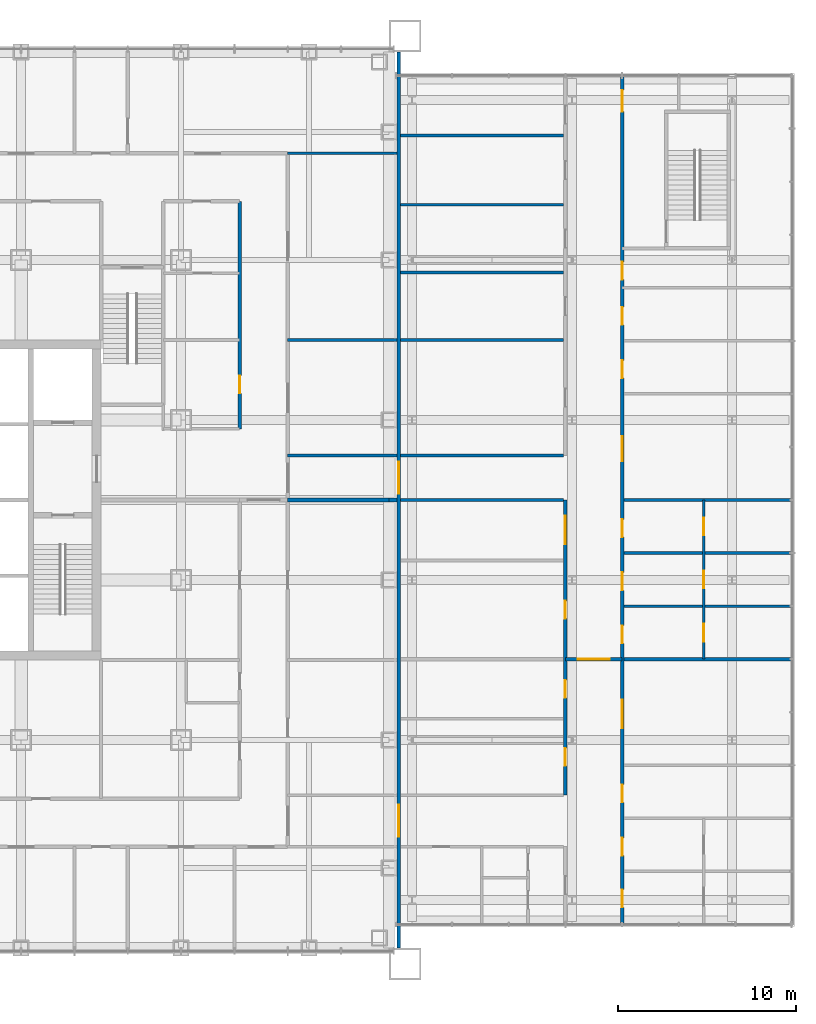
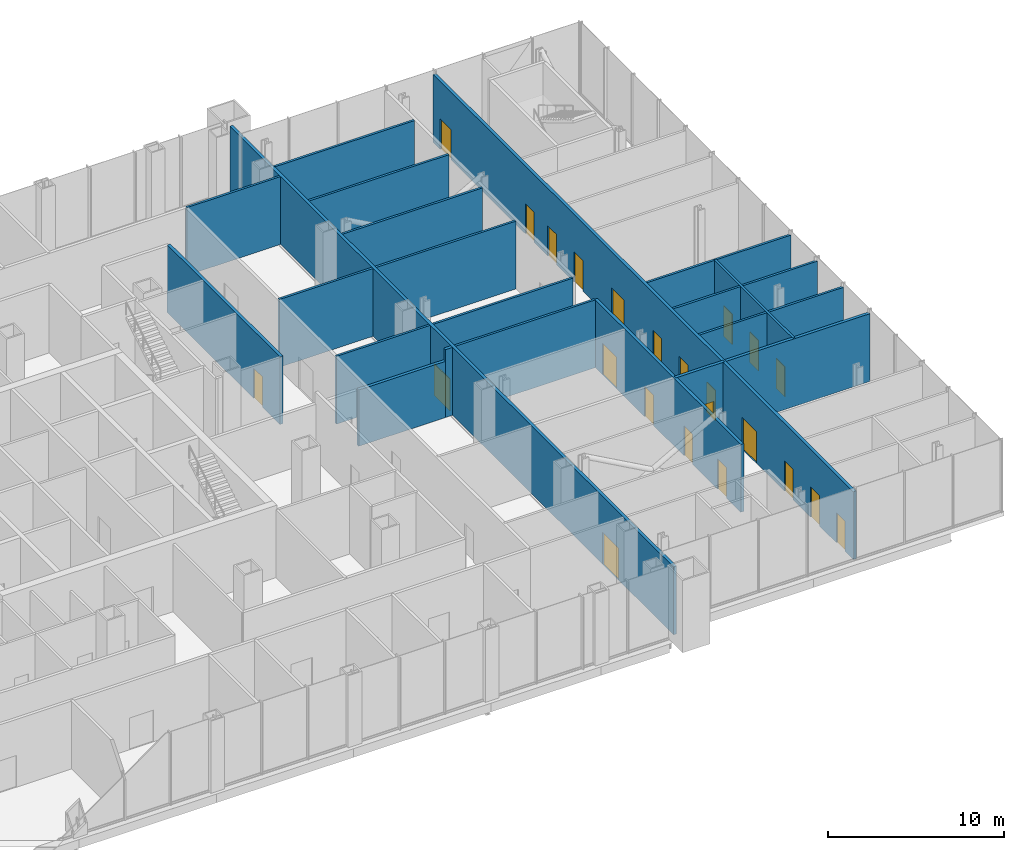
# One storey, part 18 of 25: 23 doors, 21 walls, 23 openings.
"""IFC4 building model written with IfcOpenShell, lengths in metres."""

from ifc_helpers import new_model, si_unit, direction, frame, frame_2d, origin, place, context, subcontext, project, spatial, rectangle, extrude, material, layer, layer_set, type_object, element, fill, save


model = new_model("IFC4")

# Units and contexts
model_context = context("Model", 3, precision=1e-05, world=origin(), true_north=direction((0.0, 1.0)))
body_context = subcontext(model_context, "Body", "Model", "MODEL_VIEW")
ifc_project = project(units=[si_unit("LENGTHUNIT", "METRE"), si_unit("AREAUNIT", "SQUARE_METRE"), si_unit("VOLUMEUNIT", "CUBIC_METRE"), si_unit("PLANEANGLEUNIT", "RADIAN"), si_unit("MASSUNIT", "GRAM", prefix="KILO")], contexts=[model_context])

# Site, building, storey
site_placement = place(None, origin())
site = spatial("IfcSite", under=ifc_project, at=site_placement, CompositionType="ELEMENT")
building_placement = place(site_placement, origin())
building = spatial("IfcBuilding", under=site, at=building_placement, Name="Malebo Sky Hospital", CompositionType="ELEMENT")
storey_placement = place(building_placement, frame((0.0, 0.0, 6.0)))
storey = spatial("IfcBuildingStorey", under=building, at=storey_placement, Name="L01", CompositionType="ELEMENT", Elevation=6.0)

# Wall, opening, door
ifc_material_1 = material(Name="Gypsum board on steel studs", Category="steel")
ifc_layer_1 = layer(ifc_material_1, 0.199951171875)
ifc_layer_set_1 = layer_set([ifc_layer_1], Name="CORRIDOR WALL 200")
wall_type_1 = type_object("IfcWallType", Name="CORRIDOR WALL 200", PredefinedType="PARTITIONING", material=ifc_layer_set_1)
wall_1_placement = place(storey_placement, frame((76.800048828125, 78.800048828125, 0.0), z_axis=(0.0, 0.0, 1.0), x_axis=(0.0, -1.0, 0.0)))
wall_1 = element("IfcWall", 1, at=wall_1_placement, inside=storey, type_object=wall_type_1, Name="Corridor Wall 200 ECI1", PredefinedType="PARTITIONING", context=body_context, shape_type="SweptSolid", body=[
    extrude(rectangle(XDim=12.800048828125, YDim=0.199951171875, at=frame_2d((6.39990234375, 0.0))), origin(), (0.0, 0.0, 1.0), 4.699951171875),
])
opening_1_placement = place(wall_1_placement, frame((9.800048828125, 0.0, 0.0)))
opening_1 = element("IfcOpeningElement", 2, at=opening_1_placement, cuts=wall_1, Name="Opening D03", PredefinedType="OPENING", context=body_context, shape_type="SweptSolid", body=[
    extrude(rectangle(XDim=1.0, YDim=2.10009765625, at=frame_2d((0.5, 1.050048828125))), frame((0.0, 0.10986328125, 0.0), z_axis=(0.0, -1.0, 0.0), x_axis=(1.0, 0.0, 0.0)), (0.0, 0.0, 1.0), 0.219970703125),
])
ifc_material_2 = material(Name="Hardwood-faced door leaf in steel frame", Category="steel")
door_type_1 = type_object("IfcDoorType", Name="ROOM DOOR 1000", OperationType="SINGLE_SWING_LEFT", PredefinedType="DOOR", material=ifc_material_2)
door_1_placement = place(opening_1_placement, origin())
door_1 = element("IfcDoor", 3, at=door_1_placement, inside=storey, type_object=door_type_1, Name="Equipment store door", OperationType="SINGLE_SWING_LEFT", OverallHeight=2.10009765625, OverallWidth=1.0, PredefinedType="DOOR", context=body_context, shape_type="SweptSolid", body=[
    extrude(rectangle(XDim=1.0, YDim=2.10009765625, at=frame_2d((0.5, 1.050048828125))), frame((0.0, 0.02490234375, 0.0), z_axis=(0.0, -1.0, 0.0), x_axis=(1.0, 0.0, 0.0)), (0.0, 0.0, 1.0), 0.050048828125),
])
fill(opening_1, door_1)

# Wall, openings, doors
wall_2_placement = place(storey_placement, frame((98.306884765625, 38.14990234375, 0.0), z_axis=(0.0, 0.0, 1.0), x_axis=(0.0, 1.0, 0.0)))
wall_2 = element("IfcWall", 4, at=wall_2_placement, inside=storey, type_object=wall_type_1, Name="Corridor Wall 200 EWC1", PredefinedType="PARTITIONING", context=body_context, shape_type="SweptSolid", body=[
    extrude(rectangle(XDim=47.7001953125, YDim=0.199951171875, at=frame_2d((23.85009765625, 0.0))), origin(), (0.0, 0.0, 1.0), 4.699951171875),
])
opening_2_placement = place(wall_2_placement, frame((45.699951171875, 0.0, 0.0)))
opening_2 = element("IfcOpeningElement", 5, at=opening_2_placement, cuts=wall_2, Name="Opening D08", PredefinedType="OPENING", context=body_context, shape_type="SweptSolid", body=[
    extrude(rectangle(XDim=1.199951171875, YDim=2.10009765625, at=frame_2d((0.60009765625, 1.050048828125))), frame((0.0, 0.10986328125, 0.0), z_axis=(0.0, -1.0, 0.0), x_axis=(1.0, 0.0, 0.0)), (0.0, 0.0, 1.0), 0.219970703125),
])
opening_3_placement = place(wall_2_placement, frame((36.24365234375, 0.0, 0.0)))
opening_3 = element("IfcOpeningElement", 6, at=opening_3_placement, cuts=wall_2, Name="Opening D03", PredefinedType="OPENING", context=body_context, shape_type="SweptSolid", body=[
    extrude(rectangle(XDim=1.0, YDim=2.10009765625, at=frame_2d((0.5, 1.050048828125))), frame((0.0, 0.10986328125, 0.0), z_axis=(0.0, -1.0, 0.0), x_axis=(1.0, 0.0, 0.0)), (0.0, 0.0, 1.0), 0.219970703125),
])
opening_4_placement = place(wall_2_placement, frame((0.9296875, 0.0, 0.0)))
opening_4 = element("IfcOpeningElement", 7, at=opening_4_placement, cuts=wall_2, Name="Opening D03", PredefinedType="OPENING", context=body_context, shape_type="SweptSolid", body=[
    extrude(rectangle(XDim=1.0, YDim=2.10009765625, at=frame_2d((0.5, 1.050048828125))), frame((0.0, 0.10986328125, 0.0), z_axis=(0.0, -1.0, 0.0), x_axis=(1.0, 0.0, 0.0)), (0.0, 0.0, 1.0), 0.219970703125),
])
opening_5_placement = place(wall_2_placement, frame((3.8515625, 0.0, 0.0)))
opening_5 = element("IfcOpeningElement", 8, at=opening_5_placement, cuts=wall_2, Name="Opening D03", PredefinedType="OPENING", context=body_context, shape_type="SweptSolid", body=[
    extrude(rectangle(XDim=1.0, YDim=2.10009765625, at=frame_2d((0.5, 1.050048828125))), frame((0.0, 0.10986328125, 0.0), z_axis=(0.0, -1.0, 0.0), x_axis=(1.0, 0.0, 0.0)), (0.0, 0.0, 1.0), 0.219970703125),
])
opening_6_placement = place(wall_2_placement, frame((6.8359375, 0.0, 0.0)))
opening_6 = element("IfcOpeningElement", 9, at=opening_6_placement, cuts=wall_2, Name="Opening D03", PredefinedType="OPENING", context=body_context, shape_type="SweptSolid", body=[
    extrude(rectangle(XDim=1.0, YDim=2.10009765625, at=frame_2d((0.5, 1.050048828125))), frame((0.0, 0.10986328125, 0.0), z_axis=(0.0, -1.0, 0.0), x_axis=(1.0, 0.0, 0.0)), (0.0, 0.0, 1.0), 0.219970703125),
])
opening_7_placement = place(wall_2_placement, frame((11.012451171875, 0.0, 0.0)))
opening_7 = element("IfcOpeningElement", 10, at=opening_7_placement, cuts=wall_2, Name="Opening D14", PredefinedType="OPENING", context=body_context, shape_type="SweptSolid", body=[
    extrude(rectangle(XDim=1.60009765625, YDim=2.199951171875, at=frame_2d((0.800048828125, 1.10009765625))), frame((0.0, 0.10986328125, 0.0), z_axis=(0.0, -1.0, 0.0), x_axis=(1.0, 0.0, 0.0)), (0.0, 0.0, 1.0), 0.219970703125),
])
opening_8_placement = place(wall_2_placement, frame((15.7890625, 0.0, 0.0)))
opening_8 = element("IfcOpeningElement", 11, at=opening_8_placement, cuts=wall_2, Name="Opening D03", PredefinedType="OPENING", context=body_context, shape_type="SweptSolid", body=[
    extrude(rectangle(XDim=1.0, YDim=2.10009765625, at=frame_2d((0.5, 1.050048828125))), frame((0.0, 0.10986328125, 0.0), z_axis=(0.0, -1.0, 0.0), x_axis=(1.0, 0.0, 0.0)), (0.0, 0.0, 1.0), 0.219970703125),
])
opening_9_placement = place(wall_2_placement, frame((18.7734375, 0.0, 0.0)))
opening_9 = element("IfcOpeningElement", 12, at=opening_9_placement, cuts=wall_2, Name="Opening D03", PredefinedType="OPENING", context=body_context, shape_type="SweptSolid", body=[
    extrude(rectangle(XDim=1.0, YDim=2.10009765625, at=frame_2d((0.5, 1.050048828125))), frame((0.0, 0.10986328125, 0.0), z_axis=(0.0, -1.0, 0.0), x_axis=(1.0, 0.0, 0.0)), (0.0, 0.0, 1.0), 0.219970703125),
])
opening_10_placement = place(wall_2_placement, frame((21.7578125, 0.0, 0.0)))
opening_10 = element("IfcOpeningElement", 13, at=opening_10_placement, cuts=wall_2, Name="Opening D03", PredefinedType="OPENING", context=body_context, shape_type="SweptSolid", body=[
    extrude(rectangle(XDim=1.0, YDim=2.10009765625, at=frame_2d((0.5, 1.050048828125))), frame((0.0, 0.10986328125, 0.0), z_axis=(0.0, -1.0, 0.0), x_axis=(1.0, 0.0, 0.0)), (0.0, 0.0, 1.0), 0.219970703125),
])
opening_11_placement = place(wall_2_placement, frame((26.034423828125, 0.0, 0.0)))
opening_11 = element("IfcOpeningElement", 14, at=opening_11_placement, cuts=wall_2, Name="Opening D25", PredefinedType="OPENING", context=body_context, shape_type="SweptSolid", body=[
    extrude(rectangle(XDim=1.39990234375, YDim=2.199951171875, at=frame_2d((0.699951171875, 1.10009765625))), frame((0.0, 0.10986328125, 0.0), z_axis=(0.0, -1.0, 0.0), x_axis=(1.0, 0.0, 0.0)), (0.0, 0.0, 1.0), 0.219970703125),
])
opening_12_placement = place(wall_2_placement, frame((30.7109375, 0.0, 0.0)))
opening_12 = element("IfcOpeningElement", 15, at=opening_12_placement, cuts=wall_2, Name="Opening D03", PredefinedType="OPENING", context=body_context, shape_type="SweptSolid", body=[
    extrude(rectangle(XDim=1.0, YDim=2.10009765625, at=frame_2d((0.5, 1.050048828125))), frame((0.0, 0.10986328125, 0.0), z_axis=(0.0, -1.0, 0.0), x_axis=(1.0, 0.0, 0.0)), (0.0, 0.0, 1.0), 0.219970703125),
])
opening_13_placement = place(wall_2_placement, frame((33.6953125, 0.0, 0.0)))
opening_13 = element("IfcOpeningElement", 16, at=opening_13_placement, cuts=wall_2, Name="Opening D03", PredefinedType="OPENING", context=body_context, shape_type="SweptSolid", body=[
    extrude(rectangle(XDim=1.0, YDim=2.10009765625, at=frame_2d((0.5, 1.050048828125))), frame((0.0, 0.10986328125, 0.0), z_axis=(0.0, -1.0, 0.0), x_axis=(1.0, 0.0, 0.0)), (0.0, 0.0, 1.0), 0.219970703125),
])
door_type_2 = type_object("IfcDoorType", Name="BED DOOR PAIR 1400", OperationType="DOUBLE_DOOR_SINGLE_SWING", PredefinedType="DOOR", material=ifc_material_2)
door_2_placement = place(opening_11_placement, origin())
door_2 = element("IfcDoor", 17, at=door_2_placement, inside=storey, type_object=door_type_2, Name="Minor procedures room door", OperationType="DOUBLE_DOOR_SINGLE_SWING", OverallHeight=2.199951171875, OverallWidth=1.39990234375, PredefinedType="DOOR", context=body_context, shape_type="SweptSolid", body=[
    extrude(rectangle(XDim=1.39990234375, YDim=2.199951171875, at=frame_2d((0.699951171875, 1.10009765625))), frame((0.0, 0.02490234375, 0.0), z_axis=(0.0, -1.0, 0.0), x_axis=(1.0, 0.0, 0.0)), (0.0, 0.0, 1.0), 0.050048828125),
])
fill(opening_11, door_2)
door_type_3 = type_object("IfcDoorType", Name="DEPARTMENT DOOR PAIR 1600", OperationType="DOUBLE_DOOR_DOUBLE_SWING", PredefinedType="DOOR", material=ifc_material_2)
door_3_placement = place(opening_7_placement, origin())
door_3 = element("IfcDoor", 18, at=door_3_placement, inside=storey, type_object=door_type_3, Name="Clinic waiting area door", OperationType="DOUBLE_DOOR_DOUBLE_SWING", OverallHeight=2.199951171875, OverallWidth=1.60009765625, PredefinedType="DOOR", context=body_context, shape_type="SweptSolid", body=[
    extrude(rectangle(XDim=1.60009765625, YDim=2.199951171875, at=frame_2d((0.800048828125, 1.10009765625))), frame((0.0, 0.02490234375, 0.0), z_axis=(0.0, -1.0, 0.0), x_axis=(1.0, 0.0, 0.0)), (0.0, 0.0, 1.0), 0.050048828125),
])
fill(opening_7, door_3)
door_4_placement = place(opening_3_placement, origin())
door_4 = element("IfcDoor", 19, at=door_4_placement, inside=storey, type_object=door_type_1, Name="Clinic equipment store door", OperationType="SINGLE_SWING_LEFT", OverallHeight=2.10009765625, OverallWidth=1.0, PredefinedType="DOOR", context=body_context, shape_type="SweptSolid", body=[
    extrude(rectangle(XDim=1.0, YDim=2.10009765625, at=frame_2d((0.5, 1.050048828125))), frame((0.0, 0.02490234375, 0.0), z_axis=(0.0, -1.0, 0.0), x_axis=(1.0, 0.0, 0.0)), (0.0, 0.0, 1.0), 0.050048828125),
])
fill(opening_3, door_4)
door_5_placement = place(opening_4_placement, origin())
door_5 = element("IfcDoor", 20, at=door_5_placement, inside=storey, type_object=door_type_1, Name="Consulting room door", OperationType="SINGLE_SWING_LEFT", OverallHeight=2.10009765625, OverallWidth=1.0, PredefinedType="DOOR", context=body_context, shape_type="SweptSolid", body=[
    extrude(rectangle(XDim=1.0, YDim=2.10009765625, at=frame_2d((0.5, 1.050048828125))), frame((0.0, 0.02490234375, 0.0), z_axis=(0.0, -1.0, 0.0), x_axis=(1.0, 0.0, 0.0)), (0.0, 0.0, 1.0), 0.050048828125),
])
fill(opening_4, door_5)
door_6_placement = place(opening_5_placement, origin())
door_6 = element("IfcDoor", 21, at=door_6_placement, inside=storey, type_object=door_type_1, Name="Consulting room door", OperationType="SINGLE_SWING_LEFT", OverallHeight=2.10009765625, OverallWidth=1.0, PredefinedType="DOOR", context=body_context, shape_type="SweptSolid", body=[
    extrude(rectangle(XDim=1.0, YDim=2.10009765625, at=frame_2d((0.5, 1.050048828125))), frame((0.0, 0.02490234375, 0.0), z_axis=(0.0, -1.0, 0.0), x_axis=(1.0, 0.0, 0.0)), (0.0, 0.0, 1.0), 0.050048828125),
])
fill(opening_5, door_6)
door_7_placement = place(opening_6_placement, origin())
door_7 = element("IfcDoor", 22, at=door_7_placement, inside=storey, type_object=door_type_1, Name="Treatment room door", OperationType="SINGLE_SWING_LEFT", OverallHeight=2.10009765625, OverallWidth=1.0, PredefinedType="DOOR", context=body_context, shape_type="SweptSolid", body=[
    extrude(rectangle(XDim=1.0, YDim=2.10009765625, at=frame_2d((0.5, 1.050048828125))), frame((0.0, 0.02490234375, 0.0), z_axis=(0.0, -1.0, 0.0), x_axis=(1.0, 0.0, 0.0)), (0.0, 0.0, 1.0), 0.050048828125),
])
fill(opening_6, door_7)
door_8_placement = place(opening_8_placement, origin())
door_8 = element("IfcDoor", 23, at=door_8_placement, inside=storey, type_object=door_type_1, Name="Consulting room door", OperationType="SINGLE_SWING_LEFT", OverallHeight=2.10009765625, OverallWidth=1.0, PredefinedType="DOOR", context=body_context, shape_type="SweptSolid", body=[
    extrude(rectangle(XDim=1.0, YDim=2.10009765625, at=frame_2d((0.5, 1.050048828125))), frame((0.0, 0.02490234375, 0.0), z_axis=(0.0, -1.0, 0.0), x_axis=(1.0, 0.0, 0.0)), (0.0, 0.0, 1.0), 0.050048828125),
])
fill(opening_8, door_8)
door_9_placement = place(opening_9_placement, origin())
door_9 = element("IfcDoor", 24, at=door_9_placement, inside=storey, type_object=door_type_1, Name="Consulting room door", OperationType="SINGLE_SWING_LEFT", OverallHeight=2.10009765625, OverallWidth=1.0, PredefinedType="DOOR", context=body_context, shape_type="SweptSolid", body=[
    extrude(rectangle(XDim=1.0, YDim=2.10009765625, at=frame_2d((0.5, 1.050048828125))), frame((0.0, 0.02490234375, 0.0), z_axis=(0.0, -1.0, 0.0), x_axis=(1.0, 0.0, 0.0)), (0.0, 0.0, 1.0), 0.050048828125),
])
fill(opening_9, door_9)
door_10_placement = place(opening_10_placement, origin())
door_10 = element("IfcDoor", 25, at=door_10_placement, inside=storey, type_object=door_type_1, Name="Consulting room door", OperationType="SINGLE_SWING_LEFT", OverallHeight=2.10009765625, OverallWidth=1.0, PredefinedType="DOOR", context=body_context, shape_type="SweptSolid", body=[
    extrude(rectangle(XDim=1.0, YDim=2.10009765625, at=frame_2d((0.5, 1.050048828125))), frame((0.0, 0.02490234375, 0.0), z_axis=(0.0, -1.0, 0.0), x_axis=(1.0, 0.0, 0.0)), (0.0, 0.0, 1.0), 0.050048828125),
])
fill(opening_10, door_10)
door_11_placement = place(opening_12_placement, origin())
door_11 = element("IfcDoor", 26, at=door_11_placement, inside=storey, type_object=door_type_1, Name="Treatment room door", OperationType="SINGLE_SWING_LEFT", OverallHeight=2.10009765625, OverallWidth=1.0, PredefinedType="DOOR", context=body_context, shape_type="SweptSolid", body=[
    extrude(rectangle(XDim=1.0, YDim=2.10009765625, at=frame_2d((0.5, 1.050048828125))), frame((0.0, 0.02490234375, 0.0), z_axis=(0.0, -1.0, 0.0), x_axis=(1.0, 0.0, 0.0)), (0.0, 0.0, 1.0), 0.050048828125),
])
fill(opening_12, door_11)
door_12_placement = place(opening_13_placement, origin())
door_12 = element("IfcDoor", 27, at=door_12_placement, inside=storey, type_object=door_type_1, Name="Clinic nurse base door", OperationType="SINGLE_SWING_LEFT", OverallHeight=2.10009765625, OverallWidth=1.0, PredefinedType="DOOR", context=body_context, shape_type="SweptSolid", body=[
    extrude(rectangle(XDim=1.0, YDim=2.10009765625, at=frame_2d((0.5, 1.050048828125))), frame((0.0, 0.02490234375, 0.0), z_axis=(0.0, -1.0, 0.0), x_axis=(1.0, 0.0, 0.0)), (0.0, 0.0, 1.0), 0.050048828125),
])
fill(opening_13, door_12)
door_type_4 = type_object("IfcDoorType", Name="STAIR DOOR 1200", OperationType="SINGLE_SWING_LEFT", PredefinedType="DOOR", material=ifc_material_2)
door_13_placement = place(opening_2_placement, origin())
door_13 = element("IfcDoor", 28, at=door_13_placement, inside=storey, type_object=door_type_4, Name="Stair lobby door", OperationType="SINGLE_SWING_RIGHT", OverallHeight=2.10009765625, OverallWidth=1.199951171875, PredefinedType="DOOR", context=body_context, shape_type="SweptSolid", body=[
    extrude(rectangle(XDim=1.199951171875, YDim=2.10009765625, at=frame_2d((0.60009765625, 1.050048828125))), frame((0.0, 0.02490234375, 0.0), z_axis=(0.0, -1.0, 0.0), x_axis=(1.0, 0.0, 0.0)), (0.0, 0.0, 1.0), 0.050048828125),
])
fill(opening_2, door_13)

wall_3_placement = place(storey_placement, frame((95.117919921875, 45.39990234375, 0.0), z_axis=(0.0, 0.0, 1.0), x_axis=(0.0, 1.0, 0.0)))
wall_3 = element("IfcWall", 29, at=wall_3_placement, inside=storey, type_object=wall_type_1, Name="Corridor Wall 200 EWC2B", PredefinedType="PARTITIONING", context=body_context, shape_type="SweptSolid", body=[
    extrude(rectangle(XDim=16.60009765625, YDim=0.199951171875, at=frame_2d((8.300048828125, 0.0))), origin(), (0.0, 0.0, 1.0), 4.699951171875),
])
opening_14_placement = place(wall_3_placement, frame((1.64990234375, 0.0, 0.0)))
opening_14 = element("IfcOpeningElement", 30, at=opening_14_placement, cuts=wall_3, Name="Opening D03", PredefinedType="OPENING", context=body_context, shape_type="SweptSolid", body=[
    extrude(rectangle(XDim=1.0, YDim=2.10009765625, at=frame_2d((0.5, 1.050048828125))), frame((0.0, 0.10986328125, 0.0), z_axis=(0.0, -1.0, 0.0), x_axis=(1.0, 0.0, 0.0)), (0.0, 0.0, 1.0), 0.219970703125),
])
opening_15_placement = place(wall_3_placement, frame((5.473388671875, 0.0, 0.0)))
opening_15 = element("IfcOpeningElement", 31, at=opening_15_placement, cuts=wall_3, Name="Opening D03", PredefinedType="OPENING", context=body_context, shape_type="SweptSolid", body=[
    extrude(rectangle(XDim=1.0, YDim=2.10009765625, at=frame_2d((0.5, 1.050048828125))), frame((0.0, 0.10986328125, 0.0), z_axis=(0.0, -1.0, 0.0), x_axis=(1.0, 0.0, 0.0)), (0.0, 0.0, 1.0), 0.219970703125),
])
opening_16_placement = place(wall_3_placement, frame((9.923583984375, 0.0, 0.0)))
opening_16 = element("IfcOpeningElement", 32, at=opening_16_placement, cuts=wall_3, Name="Opening D03", PredefinedType="OPENING", context=body_context, shape_type="SweptSolid", body=[
    extrude(rectangle(XDim=1.0, YDim=2.10009765625, at=frame_2d((0.5, 1.050048828125))), frame((0.0, 0.10986328125, 0.0), z_axis=(0.0, -1.0, 0.0), x_axis=(1.0, 0.0, 0.0)), (0.0, 0.0, 1.0), 0.219970703125),
])
opening_17_placement = place(wall_3_placement, frame((14.10009765625, 0.0, 0.0)))
opening_17 = element("IfcOpeningElement", 33, at=opening_17_placement, cuts=wall_3, Name="Opening D14", PredefinedType="OPENING", context=body_context, shape_type="SweptSolid", body=[
    extrude(rectangle(XDim=1.60009765625, YDim=2.199951171875, at=frame_2d((0.800048828125, 1.10009765625))), frame((0.0, 0.10986328125, 0.0), z_axis=(0.0, -1.0, 0.0), x_axis=(1.0, 0.0, 0.0)), (0.0, 0.0, 1.0), 0.219970703125),
])
door_14_placement = place(opening_17_placement, origin())
door_14 = element("IfcDoor", 34, at=door_14_placement, inside=storey, type_object=door_type_3, Name="Clinic reception door", OperationType="DOUBLE_DOOR_DOUBLE_SWING", OverallHeight=2.199951171875, OverallWidth=1.60009765625, PredefinedType="DOOR", context=body_context, shape_type="SweptSolid", body=[
    extrude(rectangle(XDim=1.60009765625, YDim=2.199951171875, at=frame_2d((0.800048828125, 1.10009765625))), frame((0.0, 0.02490234375, 0.0), z_axis=(0.0, -1.0, 0.0), x_axis=(1.0, 0.0, 0.0)), (0.0, 0.0, 1.0), 0.050048828125),
])
fill(opening_17, door_14)
door_15_placement = place(opening_14_placement, origin())
door_15 = element("IfcDoor", 35, at=door_15_placement, inside=storey, type_object=door_type_1, Name="Audiology room door", OperationType="SINGLE_SWING_LEFT", OverallHeight=2.10009765625, OverallWidth=1.0, PredefinedType="DOOR", context=body_context, shape_type="SweptSolid", body=[
    extrude(rectangle(XDim=1.0, YDim=2.10009765625, at=frame_2d((0.5, 1.050048828125))), frame((0.0, 0.02490234375, 0.0), z_axis=(0.0, -1.0, 0.0), x_axis=(1.0, 0.0, 0.0)), (0.0, 0.0, 1.0), 0.050048828125),
])
fill(opening_14, door_15)
door_16_placement = place(opening_15_placement, origin())
door_16 = element("IfcDoor", 36, at=door_16_placement, inside=storey, type_object=door_type_1, Name="Clean utility room door", OperationType="SINGLE_SWING_RIGHT", OverallHeight=2.10009765625, OverallWidth=1.0, PredefinedType="DOOR", context=body_context, shape_type="SweptSolid", body=[
    extrude(rectangle(XDim=1.0, YDim=2.10009765625, at=frame_2d((0.5, 1.050048828125))), frame((0.0, 0.02490234375, 0.0), z_axis=(0.0, -1.0, 0.0), x_axis=(1.0, 0.0, 0.0)), (0.0, 0.0, 1.0), 0.050048828125),
])
fill(opening_15, door_16)
door_17_placement = place(opening_16_placement, origin())
door_17 = element("IfcDoor", 37, at=door_17_placement, inside=storey, type_object=door_type_1, Name="Dirty utility room door", OperationType="SINGLE_SWING_LEFT", OverallHeight=2.10009765625, OverallWidth=1.0, PredefinedType="DOOR", context=body_context, shape_type="SweptSolid", body=[
    extrude(rectangle(XDim=1.0, YDim=2.10009765625, at=frame_2d((0.5, 1.050048828125))), frame((0.0, 0.02490234375, 0.0), z_axis=(0.0, -1.0, 0.0), x_axis=(1.0, 0.0, 0.0)), (0.0, 0.0, 1.0), 0.050048828125),
])
fill(opening_16, door_17)

ifc_material_3 = material(Name="Concrete blockwork", Category="masonry")
ifc_layer_2 = layer(ifc_material_3, 0.199951171875)
ifc_layer_set_2 = layer_set([ifc_layer_2], Name="MOVEMENT JOINT WALL 200")
wall_type_2 = type_object("IfcWallType", Name="MOVEMENT JOINT WALL 200", PredefinedType="SOLIDWALL", material=ifc_layer_set_2)
wall_4_placement = place(storey_placement, frame((85.75, 36.800048828125, 0.0), z_axis=(0.0, 0.0, 1.0), x_axis=(0.0, 1.0, 0.0)))
wall_4 = element("IfcWall", 38, at=wall_4_placement, inside=storey, type_object=wall_type_2, Name="Movement Joint Wall 200 EJ", PredefinedType="SOLIDWALL", context=body_context, shape_type="SweptSolid", body=[
    extrude(rectangle(XDim=50.39990234375, YDim=0.199951171875, at=frame_2d((25.199951171875, 0.0))), origin(), (0.0, 0.0, 1.0), 4.699951171875),
])
opening_18_placement = place(wall_4_placement, frame((6.25, 0.0, 0.0)))
opening_18 = element("IfcOpeningElement", 39, at=opening_18_placement, cuts=wall_4, Name="Opening D28", PredefinedType="OPENING", context=body_context, shape_type="SweptSolid", body=[
    extrude(rectangle(XDim=1.800048828125, YDim=2.199951171875, at=frame_2d((0.89990234375, 1.10009765625))), frame((0.0, 0.10986328125, 0.0), z_axis=(0.0, -1.0, 0.0), x_axis=(1.0, 0.0, 0.0)), (0.0, 0.0, 1.0), 0.219970703125),
])
opening_19_placement = place(wall_4_placement, frame((25.550048828125, 0.0, 0.0)))
opening_19 = element("IfcOpeningElement", 40, at=opening_19_placement, cuts=wall_4, Name="Opening D28", PredefinedType="OPENING", context=body_context, shape_type="SweptSolid", body=[
    extrude(rectangle(XDim=1.800048828125, YDim=2.199951171875, at=frame_2d((0.89990234375, 1.10009765625))), frame((0.0, 0.10986328125, 0.0), z_axis=(0.0, -1.0, 0.0), x_axis=(1.0, 0.0, 0.0)), (0.0, 0.0, 1.0), 0.219970703125),
])
door_type_5 = type_object("IfcDoorType", Name="FIRE DOOR PAIR 1800", OperationType="DOUBLE_DOOR_SINGLE_SWING", PredefinedType="DOOR", material=ifc_material_2)
door_18_placement = place(opening_18_placement, origin())
door_18 = element("IfcDoor", 41, at=door_18_placement, inside=storey, type_object=door_type_5, Name="Link fire door pair", OperationType="DOUBLE_DOOR_SINGLE_SWING", OverallHeight=2.199951171875, OverallWidth=1.800048828125, PredefinedType="DOOR", context=body_context, shape_type="SweptSolid", body=[
    extrude(rectangle(XDim=1.800048828125, YDim=2.199951171875, at=frame_2d((0.89990234375, 1.10009765625))), frame((0.0, 0.02490234375, 0.0), z_axis=(0.0, -1.0, 0.0), x_axis=(1.0, 0.0, 0.0)), (0.0, 0.0, 1.0), 0.050048828125),
])
fill(opening_18, door_18)
door_19_placement = place(opening_19_placement, origin())
door_19 = element("IfcDoor", 42, at=door_19_placement, inside=storey, type_object=door_type_5, Name="Link fire door pair", OperationType="DOUBLE_DOOR_SINGLE_SWING", OverallHeight=2.199951171875, OverallWidth=1.800048828125, PredefinedType="DOOR", context=body_context, shape_type="SweptSolid", body=[
    extrude(rectangle(XDim=1.800048828125, YDim=2.199951171875, at=frame_2d((0.89990234375, 1.10009765625))), frame((0.0, 0.02490234375, 0.0), z_axis=(0.0, -1.0, 0.0), x_axis=(1.0, 0.0, 0.0)), (0.0, 0.0, 1.0), 0.050048828125),
])
fill(opening_19, door_19)

# Walls
ifc_layer_3 = layer(ifc_material_1, 0.14990234375)
ifc_layer_set_3 = layer_set([ifc_layer_3], Name="PARTITION 150")
wall_type_3 = type_object("IfcWallType", Name="PARTITION 150", PredefinedType="PARTITIONING", material=ifc_layer_set_3)
for number, where, z_axis, x_axis, name in (
    (43, (79.5, 81.5, 0.0), (0.0, 0.0, 1.0), (1.0, 0.0, 0.0), "Partition 150 EP-19.5"),
    (44, (79.5, 71.0, 0.0), (0.0, 0.0, 1.0), (1.0, 0.0, 0.0), "Partition 150 EP-9.0"),
    (45, (79.5, 64.5, 0.0), (0.0, 0.0, 1.0), (1.0, 0.0, 0.0), "Partition 150 EP-2.5"),
):
    element("IfcWall", number, at=place(storey_placement, frame(where, z_axis=z_axis, x_axis=x_axis)), inside=storey, type_object=wall_type_3, Name=name, PredefinedType="PARTITIONING", context=body_context, shape_type="SweptSolid", body=[
        extrude(rectangle(XDim=6.14990234375, YDim=0.14990234375, at=frame_2d((3.074951171875, 0.0))), origin(), (0.0, 0.0, 1.0), 4.699951171875),
    ])
for number, where, z_axis, x_axis, name in (
    (46, (107.85009765625, 56.03125, 0.0), (0.0, 0.0, 1.0), (-1.0, 0.0, 0.0), "Partition 150 EOH04"),
    (47, (107.85009765625, 59.015625, 0.0), (0.0, 0.0, 1.0), (-1.0, 0.0, 0.0), "Partition 150 EOH05"),
    (48, (107.85009765625, 62.0, 0.0), (0.0, 0.0, 1.0), (-1.0, 0.0, 0.0), "Partition 150 EOH06"),
):
    element("IfcWall", number, at=place(storey_placement, frame(where, z_axis=z_axis, x_axis=x_axis)), inside=storey, type_object=wall_type_3, Name=name, PredefinedType="PARTITIONING", context=body_context, shape_type="SweptSolid", body=[
        extrude(rectangle(XDim=9.443115234375, YDim=0.14990234375, at=frame_2d((4.7216796875, 0.0))), origin(), (0.0, 0.0, 1.0), 4.699951171875),
    ])

# Wall, openings, doors
wall_5_placement = place(storey_placement, frame((102.906982421875, 53.046875, 0.0), z_axis=(0.0, 0.0, 1.0), x_axis=(0.0, 1.0, 0.0)))
wall_5 = element("IfcWall", 49, at=wall_5_placement, inside=storey, type_object=wall_type_3, Name="Partition 150 EOV10", PredefinedType="PARTITIONING", context=body_context, shape_type="SweptSolid", body=[
    extrude(rectangle(XDim=8.953125, YDim=0.14990234375, at=frame_2d((4.4765625, 0.0))), origin(), (0.0, 0.0, 1.0), 4.699951171875),
])
opening_20_placement = place(wall_5_placement, frame((0.9921875, 0.0, 0.0)))
opening_20 = element("IfcOpeningElement", 50, at=opening_20_placement, cuts=wall_5, Name="Opening D03", PredefinedType="OPENING", context=body_context, shape_type="SweptSolid", body=[
    extrude(rectangle(XDim=1.0, YDim=2.10009765625, at=frame_2d((0.5, 1.050048828125))), frame((0.0, 0.0849609375, 0.0), z_axis=(0.0, -1.0, 0.0), x_axis=(1.0, 0.0, 0.0)), (0.0, 0.0, 1.0), 0.169921875),
])
opening_21_placement = place(wall_5_placement, frame((3.9765625, 0.0, 0.0)))
opening_21 = element("IfcOpeningElement", 51, at=opening_21_placement, cuts=wall_5, Name="Opening D03", PredefinedType="OPENING", context=body_context, shape_type="SweptSolid", body=[
    extrude(rectangle(XDim=1.0, YDim=2.10009765625, at=frame_2d((0.5, 1.050048828125))), frame((0.0, 0.0849609375, 0.0), z_axis=(0.0, -1.0, 0.0), x_axis=(1.0, 0.0, 0.0)), (0.0, 0.0, 1.0), 0.169921875),
])
opening_22_placement = place(wall_5_placement, frame((6.9609375, 0.0, 0.0)))
opening_22 = element("IfcOpeningElement", 52, at=opening_22_placement, cuts=wall_5, Name="Opening D03", PredefinedType="OPENING", context=body_context, shape_type="SweptSolid", body=[
    extrude(rectangle(XDim=1.0, YDim=2.10009765625, at=frame_2d((0.5, 1.050048828125))), frame((0.0, 0.0849609375, 0.0), z_axis=(0.0, -1.0, 0.0), x_axis=(1.0, 0.0, 0.0)), (0.0, 0.0, 1.0), 0.169921875),
])
door_20_placement = place(opening_20_placement, origin())
door_20 = element("IfcDoor", 53, at=door_20_placement, inside=storey, type_object=door_type_1, Name="Examination room inner door", OperationType="SINGLE_SWING_LEFT", OverallHeight=2.10009765625, OverallWidth=1.0, PredefinedType="DOOR", context=body_context, shape_type="SweptSolid", body=[
    extrude(rectangle(XDim=1.0, YDim=2.10009765625, at=frame_2d((0.5, 1.050048828125))), frame((0.0, 0.02490234375, 0.0), z_axis=(0.0, -1.0, 0.0), x_axis=(1.0, 0.0, 0.0)), (0.0, 0.0, 1.0), 0.050048828125),
])
fill(opening_20, door_20)
door_21_placement = place(opening_21_placement, origin())
door_21 = element("IfcDoor", 54, at=door_21_placement, inside=storey, type_object=door_type_1, Name="Examination room inner door", OperationType="SINGLE_SWING_LEFT", OverallHeight=2.10009765625, OverallWidth=1.0, PredefinedType="DOOR", context=body_context, shape_type="SweptSolid", body=[
    extrude(rectangle(XDim=1.0, YDim=2.10009765625, at=frame_2d((0.5, 1.050048828125))), frame((0.0, 0.02490234375, 0.0), z_axis=(0.0, -1.0, 0.0), x_axis=(1.0, 0.0, 0.0)), (0.0, 0.0, 1.0), 0.050048828125),
])
fill(opening_21, door_21)
door_22_placement = place(opening_22_placement, origin())
door_22 = element("IfcDoor", 55, at=door_22_placement, inside=storey, type_object=door_type_1, Name="Examination room inner door", OperationType="SINGLE_SWING_LEFT", OverallHeight=2.10009765625, OverallWidth=1.0, PredefinedType="DOOR", context=body_context, shape_type="SweptSolid", body=[
    extrude(rectangle(XDim=1.0, YDim=2.10009765625, at=frame_2d((0.5, 1.050048828125))), frame((0.0, 0.02490234375, 0.0), z_axis=(0.0, -1.0, 0.0), x_axis=(1.0, 0.0, 0.0)), (0.0, 0.0, 1.0), 0.050048828125),
])
fill(opening_22, door_22)

# Walls
for number, where, z_axis, x_axis, name in (
    (56, (95.01806640625, 62.0, 0.0), (0.0, 0.0, 1.0), (-1.0, 0.0, 0.0), "Partition 150 EIH06"),
    (57, (95.01806640625, 64.5, 0.0), (0.0, 0.0, 1.0), (-1.0, 0.0, 0.0), "Partition 150 EIH07"),
    (58, (95.01806640625, 71.0, 0.0), (0.0, 0.0, 1.0), (-1.0, 0.0, 0.0), "Partition 150 EIH08"),
    (59, (95.01806640625, 74.800048828125, 0.0), (0.0, 0.0, 1.0), (-1.0, 0.0, 0.0), "Partition 150 EIH09"),
    (60, (95.01806640625, 78.60009765625, 0.0), (0.0, 0.0, 1.0), (-1.0, 0.0, 0.0), "Partition 150 EIH10"),
    (61, (95.01806640625, 82.5, 0.0), (0.0, 0.0, 1.0), (-1.0, 0.0, 0.0), "Partition 150 EIH11"),
):
    element("IfcWall", number, at=place(storey_placement, frame(where, z_axis=z_axis, x_axis=x_axis)), inside=storey, type_object=wall_type_3, Name=name, PredefinedType="PARTITIONING", context=body_context, shape_type="SweptSolid", body=[
        extrude(rectangle(XDim=9.16796875, YDim=0.14990234375, at=frame_2d((4.583984375, 0.0))), origin(), (0.0, 0.0, 1.0), 4.699951171875),
    ])
ifc_layer_4 = layer(ifc_material_3, 0.199951171875)
ifc_layer_set_4 = layer_set([ifc_layer_4], Name="SMOKE BARRIER WALL 200")
wall_type_4 = type_object("IfcWallType", Name="SMOKE BARRIER WALL 200", PredefinedType="SOLIDWALL", material=ifc_layer_set_4)
wall_6_placement = place(storey_placement, frame((79.5, 62.0, 0.0), z_axis=(0.0, 0.0, 1.0), x_axis=(1.0, 0.0, 0.0)))
element("IfcWall", 62, at=wall_6_placement, inside=storey, type_object=wall_type_4, Name="Smoke Barrier Wall 200 EP+0.0", PredefinedType="SOLIDWALL", context=body_context, shape_type="SweptSolid", body=[
    extrude(rectangle(XDim=5.699951171875, YDim=0.199951171875, at=frame_2d((2.85009765625, 0.0))), origin(), (0.0, 0.0, 1.0), 3.89990234375),
])
wall_7_placement = place(storey_placement, frame((85.199951171875, 62.0, 0.0), z_axis=(0.0, 0.0, 1.0), x_axis=(1.0, 0.0, 0.0)))
element("IfcWall", 63, at=wall_7_placement, inside=storey, type_object=wall_type_4, Name="Smoke Barrier Wall 200 EP+0.0", PredefinedType="SOLIDWALL", context=body_context, shape_type="SweptSolid", body=[
    extrude(rectangle(XDim=0.449951171875, YDim=0.199951171875, at=frame_2d((0.22509765625, 0.0))), origin(), (0.0, 0.0, 1.0), 4.699951171875),
])

# Wall, opening, door
wall_8_placement = place(storey_placement, frame((98.306884765625, 53.046875, 0.0), z_axis=(0.0, 0.0, 1.0), x_axis=(-1.0, 0.0, 0.0)))
wall_8 = element("IfcWall", 64, at=wall_8_placement, inside=storey, type_object=wall_type_4, Name="Smoke Barrier Wall 200 EWSB", PredefinedType="SOLIDWALL", context=body_context, shape_type="SweptSolid", body=[
    extrude(rectangle(XDim=3.18896484375, YDim=0.199951171875, at=frame_2d((1.594482421875, 0.0))), origin(), (0.0, 0.0, 1.0), 4.699951171875),
])
opening_23_placement = place(wall_8_placement, frame((0.694580078125, 0.0, 0.0)))
opening_23 = element("IfcOpeningElement", 65, at=opening_23_placement, cuts=wall_8, Name="Opening D05", PredefinedType="OPENING", context=body_context, shape_type="SweptSolid", body=[
    extrude(rectangle(XDim=1.800048828125, YDim=2.199951171875, at=frame_2d((0.89990234375, 1.10009765625))), frame((0.0, 0.10986328125, 0.0), z_axis=(0.0, -1.0, 0.0), x_axis=(1.0, 0.0, 0.0)), (0.0, 0.0, 1.0), 0.219970703125),
])
door_type_6 = type_object("IfcDoorType", Name="SMOKE DOOR PAIR 1800", OperationType="DOUBLE_DOOR_DOUBLE_SWING", PredefinedType="DOOR", material=ifc_material_2)
door_23_placement = place(opening_23_placement, origin())
door_23 = element("IfcDoor", 66, at=door_23_placement, inside=storey, type_object=door_type_6, Name="Smoke compartment door pair", OperationType="DOUBLE_DOOR_DOUBLE_SWING", OverallHeight=2.199951171875, OverallWidth=1.800048828125, PredefinedType="DOOR", context=body_context, shape_type="SweptSolid", body=[
    extrude(rectangle(XDim=1.800048828125, YDim=2.199951171875, at=frame_2d((0.89990234375, 1.10009765625))), frame((0.0, 0.02490234375, 0.0), z_axis=(0.0, -1.0, 0.0), x_axis=(1.0, 0.0, 0.0)), (0.0, 0.0, 1.0), 0.050048828125),
])
fill(opening_23, door_23)

# Wall
wall_9_placement = place(storey_placement, frame((107.85009765625, 53.046875, 0.0), z_axis=(0.0, 0.0, 1.0), x_axis=(-1.0, 0.0, 0.0)))
element("IfcWall", 67, at=wall_9_placement, inside=storey, type_object=wall_type_4, Name="Smoke Barrier Wall 200 EOH03", PredefinedType="SOLIDWALL", context=body_context, shape_type="SweptSolid", body=[
    extrude(rectangle(XDim=9.443115234375, YDim=0.199951171875, at=frame_2d((4.7216796875, 0.0))), origin(), (0.0, 0.0, 1.0), 4.699951171875),
])

save(model, "model.ifc")
